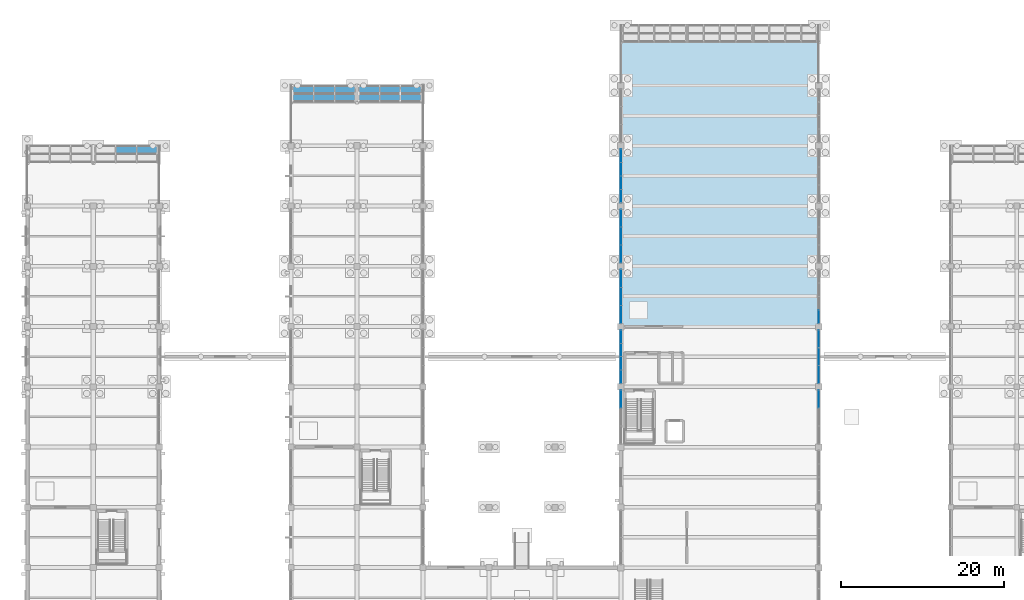
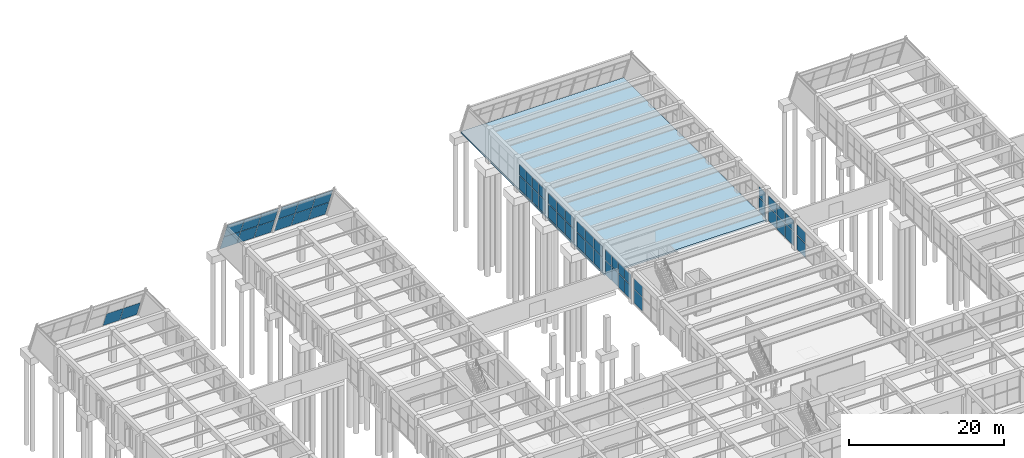
# One storey, part 116 of 140: 54 plates, 1 slab, 11 elements without a shape of their own.
"""IFC4 building model written with IfcOpenShell, lengths in metres."""

from ifc_helpers import new_model, si_unit, direction, frame, origin, origin_2d, place, context, subcontext, project, spatial, polyline, rectangle, outline, extrude, material, layer, layer_set, type_object, element, aggregate, save


model = new_model("IFC4")

# Units and contexts
model_context = context("Model", 3, precision=1e-05, world=origin(), true_north=direction((0.0, 1.0)))
body_context = subcontext(model_context, "Body", "Model", "MODEL_VIEW")
ifc_project = project(units=[si_unit("LENGTHUNIT", "METRE"), si_unit("AREAUNIT", "SQUARE_METRE"), si_unit("VOLUMEUNIT", "CUBIC_METRE"), si_unit("PLANEANGLEUNIT", "RADIAN"), si_unit("MASSUNIT", "GRAM", prefix="KILO")], contexts=[model_context])

# Site, building, storey
site_placement = place(None, origin())
site = spatial("IfcSite", under=ifc_project, at=site_placement, CompositionType="ELEMENT")
building_placement = place(site_placement, origin())
building = spatial("IfcBuilding", under=site, at=building_placement, Name="Cimatlan Art Gallery", CompositionType="ELEMENT")
storey_placement = place(building_placement, origin())
storey = spatial("IfcBuildingStorey", under=building, at=storey_placement, Name="L00", CompositionType="ELEMENT", Elevation=0.0)

# Curtain wall, plates
ifc_material_1 = material(Name="Anodised bronze unitised curtain wall")
curtain_wall_type_1 = type_object("IfcCurtainWallType", Name="CW-V-06592X04148-B4", PredefinedType="NOTDEFINED", material=ifc_material_1)
curtain_wall_1_placement = place(storey_placement, origin())
curtain_wall_1 = element("IfcCurtainWall", 1, at=curtain_wall_1_placement, inside=storey, type_object=curtain_wall_type_1, Name="CW-L00-09-12-W", PredefinedType="NOTDEFINED")
ifc_material_2 = material(Name="Low-E insulated double glazing", Category="glass")
ifc_layer_1 = layer(ifc_material_2, 0.028076171875)
ifc_layer_set_1 = layer_set([ifc_layer_1], Name="Low-E insulated double glazing")
plate_type_1 = type_object("IfcPlateType", Name="PNL-1590X1641", PredefinedType="CURTAIN_PANEL", material=ifc_layer_set_1)
plate_1_placement = place(storey_placement, frame((74.89990234375, 91.72802734375, 2.385009765625), z_axis=(0.0, 0.0, 1.0), x_axis=(0.0, 1.0, 0.0)))
plate_1 = element("IfcPlate", 2, at=plate_1_placement, type_object=plate_type_1, Name="CW-L00-09-12-W-P12", PredefinedType="CURTAIN_PANEL", context=body_context, shape_type="SweptSolid", body=[
    extrude(rectangle(XDim=1.590087890625, YDim=0.028076171875, at=origin_2d()), origin(), (0.0, 0.0, 1.0), 1.64111328125),
])
plate_2_placement = place(storey_placement, frame((74.89990234375, 93.3759765625, 2.385009765625), z_axis=(0.0, 0.0, 1.0), x_axis=(0.0, 1.0, 0.0)))
plate_2 = element("IfcPlate", 3, at=plate_2_placement, type_object=plate_type_1, Name="CW-L00-09-12-W-P22", PredefinedType="CURTAIN_PANEL", context=body_context, shape_type="SweptSolid", body=[
    extrude(rectangle(XDim=1.590087890625, YDim=0.028076171875, at=origin_2d()), origin(), (0.0, 0.0, 1.0), 1.64111328125),
])
plate_3_placement = place(storey_placement, frame((74.89990234375, 95.02392578125, 2.385009765625), z_axis=(0.0, 0.0, 1.0), x_axis=(0.0, 1.0, 0.0)))
plate_3 = element("IfcPlate", 4, at=plate_3_placement, type_object=plate_type_1, Name="CW-L00-09-12-W-P32", PredefinedType="CURTAIN_PANEL", context=body_context, shape_type="SweptSolid", body=[
    extrude(rectangle(XDim=1.590087890625, YDim=0.028076171875, at=origin_2d()), origin(), (0.0, 0.0, 1.0), 1.64111328125),
])
plate_4_placement = place(storey_placement, frame((74.89990234375, 96.672119140625, 2.385009765625), z_axis=(0.0, 0.0, 1.0), x_axis=(0.0, 1.0, 0.0)))
plate_4 = element("IfcPlate", 5, at=plate_4_placement, type_object=plate_type_1, Name="CW-L00-09-12-W-P42", PredefinedType="CURTAIN_PANEL", context=body_context, shape_type="SweptSolid", body=[
    extrude(rectangle(XDim=1.590087890625, YDim=0.028076171875, at=origin_2d()), origin(), (0.0, 0.0, 1.0), 1.64111328125),
])

# Curtain wall, plate
curtain_wall_type_2 = type_object("IfcCurtainWallType", Name="CW-V-06592X04178-B4", PredefinedType="NOTDEFINED", material=ifc_material_1)
curtain_wall_2_placement = place(storey_placement, origin())
curtain_wall_2 = element("IfcCurtainWall", 6, at=curtain_wall_2_placement, inside=storey, type_object=curtain_wall_type_2, Name="CW-L00-11-10-E", PredefinedType="NOTDEFINED")
ifc_layer_2 = layer(ifc_material_2, 0.028076171875)
ifc_layer_set_2 = layer_set([ifc_layer_2], Name="Low-E insulated double glazing")
plate_type_2 = type_object("IfcPlateType", Name="PNL-1590X1654", PredefinedType="CURTAIN_PANEL", material=ifc_layer_set_2)
plate_5_placement = place(storey_placement, frame((99.199951171875, 76.927978515625, 2.40185546875), z_axis=(0.0, 0.0, 1.0), x_axis=(0.0, -1.0, 0.0)))
plate_5 = element("IfcPlate", 7, at=plate_5_placement, type_object=plate_type_2, Name="CW-L00-11-10-E-P42", PredefinedType="CURTAIN_PANEL", context=body_context, shape_type="SweptSolid", body=[
    extrude(rectangle(XDim=1.590087890625, YDim=0.028076171875, at=origin_2d()), origin(), (0.0, 0.0, 1.0), 1.654052734375),
])

# Curtain wall, plates
curtain_wall_type_3 = type_object("IfcCurtainWallType", Name="CW-V-06592X04193-B4", PredefinedType="NOTDEFINED", material=ifc_material_1)
curtain_wall_3_placement = place(storey_placement, origin())
curtain_wall_3 = element("IfcCurtainWall", 8, at=curtain_wall_3_placement, inside=storey, type_object=curtain_wall_type_3, Name="CW-L00-09-09-W", PredefinedType="NOTDEFINED")
ifc_layer_3 = layer(ifc_material_2, 0.028076171875)
ifc_layer_set_3 = layer_set([ifc_layer_3], Name="Low-E insulated double glazing")
plate_type_3 = type_object("IfcPlateType", Name="PNL-1590X1661", PredefinedType="CURTAIN_PANEL", material=ifc_layer_set_3)
plate_6_placement = place(storey_placement, frame((74.89990234375, 69.528076171875, 2.41015625), z_axis=(0.0, 0.0, 1.0), x_axis=(0.0, 1.0, 0.0)))
plate_6 = element("IfcPlate", 9, at=plate_6_placement, type_object=plate_type_3, Name="CW-L00-09-09-W-P12", PredefinedType="CURTAIN_PANEL", context=body_context, shape_type="SweptSolid", body=[
    extrude(rectangle(XDim=1.590087890625, YDim=0.028076171875, at=origin_2d()), origin(), (0.0, 0.0, 1.0), 1.660888671875),
])
plate_7_placement = place(storey_placement, frame((74.89990234375, 71.176025390625, 2.41015625), z_axis=(0.0, 0.0, 1.0), x_axis=(0.0, 1.0, 0.0)))
plate_7 = element("IfcPlate", 10, at=plate_7_placement, type_object=plate_type_3, Name="CW-L00-09-09-W-P22", PredefinedType="CURTAIN_PANEL", context=body_context, shape_type="SweptSolid", body=[
    extrude(rectangle(XDim=1.590087890625, YDim=0.028076171875, at=origin_2d()), origin(), (0.0, 0.0, 1.0), 1.660888671875),
])
plate_8_placement = place(storey_placement, frame((74.89990234375, 72.823974609375, 2.41015625), z_axis=(0.0, 0.0, 1.0), x_axis=(0.0, 1.0, 0.0)))
plate_8 = element("IfcPlate", 11, at=plate_8_placement, type_object=plate_type_3, Name="CW-L00-09-09-W-P32", PredefinedType="CURTAIN_PANEL", context=body_context, shape_type="SweptSolid", body=[
    extrude(rectangle(XDim=1.590087890625, YDim=0.028076171875, at=origin_2d()), origin(), (0.0, 0.0, 1.0), 1.660888671875),
])
plate_9_placement = place(storey_placement, frame((74.89990234375, 74.471923828125, 2.41015625), z_axis=(0.0, 0.0, 1.0), x_axis=(0.0, 1.0, 0.0)))
plate_9 = element("IfcPlate", 12, at=plate_9_placement, type_object=plate_type_3, Name="CW-L00-09-09-W-P42", PredefinedType="CURTAIN_PANEL", context=body_context, shape_type="SweptSolid", body=[
    extrude(rectangle(XDim=1.590087890625, YDim=0.028076171875, at=origin_2d()), origin(), (0.0, 0.0, 1.0), 1.660888671875),
])

# Plate
ifc_layer_4 = layer(ifc_material_2, 0.028076171875)
ifc_layer_set_4 = layer_set([ifc_layer_4], Name="Low-E insulated double glazing")
plate_type_4 = type_object("IfcPlateType", Name="PNL-1590X2139", PredefinedType="CURTAIN_PANEL", material=ifc_layer_set_4)
plate_10_placement = place(storey_placement, frame((74.89990234375, 91.72802734375, 0.1220703125), z_axis=(0.0, 0.0, 1.0), x_axis=(0.0, 1.0, 0.0)))
plate_10 = element("IfcPlate", 13, at=plate_10_placement, type_object=plate_type_4, Name="CW-L00-09-12-W-P11", PredefinedType="CURTAIN_PANEL", context=body_context, shape_type="SweptSolid", body=[
    extrude(rectangle(XDim=1.590087890625, YDim=0.028076171875, at=origin_2d()), origin(), (0.0, 0.0, 1.0), 2.138916015625),
])

plate_11_placement = place(storey_placement, frame((74.89990234375, 93.3759765625, 0.1220703125), z_axis=(0.0, 0.0, 1.0), x_axis=(0.0, 1.0, 0.0)))
plate_11 = element("IfcPlate", 14, at=plate_11_placement, type_object=plate_type_4, Name="CW-L00-09-12-W-P21", PredefinedType="CURTAIN_PANEL", context=body_context, shape_type="SweptSolid", body=[
    extrude(rectangle(XDim=1.590087890625, YDim=0.028076171875, at=origin_2d()), origin(), (0.0, 0.0, 1.0), 2.138916015625),
])

plate_12_placement = place(storey_placement, frame((74.89990234375, 95.02392578125, 0.1220703125), z_axis=(0.0, 0.0, 1.0), x_axis=(0.0, 1.0, 0.0)))
plate_12 = element("IfcPlate", 15, at=plate_12_placement, type_object=plate_type_4, Name="CW-L00-09-12-W-P31", PredefinedType="CURTAIN_PANEL", context=body_context, shape_type="SweptSolid", body=[
    extrude(rectangle(XDim=1.590087890625, YDim=0.028076171875, at=origin_2d()), origin(), (0.0, 0.0, 1.0), 2.138916015625),
])

plate_13_placement = place(storey_placement, frame((74.89990234375, 96.672119140625, 0.1220703125), z_axis=(0.0, 0.0, 1.0), x_axis=(0.0, 1.0, 0.0)))
plate_13 = element("IfcPlate", 16, at=plate_13_placement, type_object=plate_type_4, Name="CW-L00-09-12-W-P41", PredefinedType="CURTAIN_PANEL", context=body_context, shape_type="SweptSolid", body=[
    extrude(rectangle(XDim=1.590087890625, YDim=0.028076171875, at=origin_2d()), origin(), (0.0, 0.0, 1.0), 2.138916015625),
])

aggregate(curtain_wall_1, [plate_10, plate_1, plate_11, plate_2, plate_12, plate_3, plate_13, plate_4])

ifc_layer_5 = layer(ifc_material_2, 0.028076171875)
ifc_layer_set_5 = layer_set([ifc_layer_5], Name="Low-E insulated double glazing")
plate_type_5 = type_object("IfcPlateType", Name="PNL-1590X2156", PredefinedType="CURTAIN_PANEL", material=ifc_layer_set_5)
plate_14_placement = place(storey_placement, frame((99.199951171875, 76.927978515625, 0.1220703125), z_axis=(0.0, 0.0, 1.0), x_axis=(0.0, -1.0, 0.0)))
plate_14 = element("IfcPlate", 17, at=plate_14_placement, type_object=plate_type_5, Name="CW-L00-11-10-E-P41", PredefinedType="CURTAIN_PANEL", context=body_context, shape_type="SweptSolid", body=[
    extrude(rectangle(XDim=1.590087890625, YDim=0.028076171875, at=origin_2d()), origin(), (0.0, 0.0, 1.0), 2.156005859375),
])

aggregate(curtain_wall_2, [plate_14, plate_5])

ifc_layer_6 = layer(ifc_material_2, 0.028076171875)
ifc_layer_set_6 = layer_set([ifc_layer_6], Name="Low-E insulated double glazing")
plate_type_6 = type_object("IfcPlateType", Name="PNL-1590X2164", PredefinedType="CURTAIN_PANEL", material=ifc_layer_set_6)
plate_15_placement = place(storey_placement, frame((74.89990234375, 69.528076171875, 0.1220703125), z_axis=(0.0, 0.0, 1.0), x_axis=(0.0, 1.0, 0.0)))
plate_15 = element("IfcPlate", 18, at=plate_15_placement, type_object=plate_type_6, Name="CW-L00-09-09-W-P11", PredefinedType="CURTAIN_PANEL", context=body_context, shape_type="SweptSolid", body=[
    extrude(rectangle(XDim=1.590087890625, YDim=0.028076171875, at=origin_2d()), origin(), (0.0, 0.0, 1.0), 2.1640625),
])

plate_16_placement = place(storey_placement, frame((74.89990234375, 71.176025390625, 0.1220703125), z_axis=(0.0, 0.0, 1.0), x_axis=(0.0, 1.0, 0.0)))
plate_16 = element("IfcPlate", 19, at=plate_16_placement, type_object=plate_type_6, Name="CW-L00-09-09-W-P21", PredefinedType="CURTAIN_PANEL", context=body_context, shape_type="SweptSolid", body=[
    extrude(rectangle(XDim=1.590087890625, YDim=0.028076171875, at=origin_2d()), origin(), (0.0, 0.0, 1.0), 2.1640625),
])

plate_17_placement = place(storey_placement, frame((74.89990234375, 72.823974609375, 0.1220703125), z_axis=(0.0, 0.0, 1.0), x_axis=(0.0, 1.0, 0.0)))
plate_17 = element("IfcPlate", 20, at=plate_17_placement, type_object=plate_type_6, Name="CW-L00-09-09-W-P31", PredefinedType="CURTAIN_PANEL", context=body_context, shape_type="SweptSolid", body=[
    extrude(rectangle(XDim=1.590087890625, YDim=0.028076171875, at=origin_2d()), origin(), (0.0, 0.0, 1.0), 2.1640625),
])

plate_18_placement = place(storey_placement, frame((74.89990234375, 74.471923828125, 0.1220703125), z_axis=(0.0, 0.0, 1.0), x_axis=(0.0, 1.0, 0.0)))
plate_18 = element("IfcPlate", 21, at=plate_18_placement, type_object=plate_type_6, Name="CW-L00-09-09-W-P41", PredefinedType="CURTAIN_PANEL", context=body_context, shape_type="SweptSolid", body=[
    extrude(rectangle(XDim=1.590087890625, YDim=0.028076171875, at=origin_2d()), origin(), (0.0, 0.0, 1.0), 2.1640625),
])

aggregate(curtain_wall_3, [plate_15, plate_6, plate_16, plate_7, plate_17, plate_8, plate_18, plate_9])

# Curtain wall, plate
curtain_wall_type_4 = type_object("IfcCurtainWallType", Name="CW-V-06592X04118-B3", PredefinedType="NOTDEFINED", material=ifc_material_1)
curtain_wall_4_placement = place(storey_placement, origin())
curtain_wall_4 = element("IfcCurtainWall", 22, at=curtain_wall_4_placement, inside=storey, type_object=curtain_wall_type_4, Name="CW-L00-09-08-W", PredefinedType="NOTDEFINED")
ifc_layer_7 = layer(ifc_material_2, 0.028076171875)
ifc_layer_set_7 = layer_set([ifc_layer_7], Name="Low-E insulated double glazing")
plate_type_7 = type_object("IfcPlateType", Name="PNL-2139X1628", PredefinedType="CURTAIN_PANEL", material=ifc_layer_set_7)
plate_19_placement = place(storey_placement, frame((74.89990234375, 66.79736328125, 2.3681640625), z_axis=(0.0, 0.0, 1.0), x_axis=(0.0, 1.0, 0.0)))
plate_19 = element("IfcPlate", 23, at=plate_19_placement, type_object=plate_type_7, Name="CW-L00-09-08-W-P32", PredefinedType="CURTAIN_PANEL", context=body_context, shape_type="SweptSolid", body=[
    extrude(rectangle(XDim=2.138916015625, YDim=0.028076171875, at=origin_2d()), origin(), (0.0, 0.0, 1.0), 1.6279296875),
])

curtain_wall_5_placement = place(storey_placement, origin())
curtain_wall_5 = element("IfcCurtainWall", 24, at=curtain_wall_5_placement, inside=storey, type_object=curtain_wall_type_4, Name="CW-L00-11-08-E", PredefinedType="NOTDEFINED")
plate_20_placement = place(storey_placement, frame((99.199951171875, 66.79736328125, 2.3681640625), z_axis=(0.0, 0.0, 1.0), x_axis=(0.0, -1.0, 0.0)))
plate_20 = element("IfcPlate", 25, at=plate_20_placement, type_object=plate_type_7, Name="CW-L00-11-08-E-P12", PredefinedType="CURTAIN_PANEL", context=body_context, shape_type="SweptSolid", body=[
    extrude(rectangle(XDim=2.138916015625, YDim=0.028076171875, at=origin_2d()), origin(), (0.0, 0.0, 1.0), 1.6279296875),
])

# Curtain wall, plates
curtain_wall_type_5 = type_object("IfcCurtainWallType", Name="CW-V-06592X04163-B3", PredefinedType="NOTDEFINED", material=ifc_material_1)
curtain_wall_6_placement = place(storey_placement, origin())
curtain_wall_6 = element("IfcCurtainWall", 26, at=curtain_wall_6_placement, inside=storey, type_object=curtain_wall_type_5, Name="CW-L00-09-11-W", PredefinedType="NOTDEFINED")
ifc_layer_8 = layer(ifc_material_2, 0.028076171875)
ifc_layer_set_8 = layer_set([ifc_layer_8], Name="Low-E insulated double glazing")
plate_type_8 = type_object("IfcPlateType", Name="PNL-2139X1648", PredefinedType="CURTAIN_PANEL", material=ifc_layer_set_8)
plate_21_placement = place(storey_placement, frame((74.89990234375, 84.602783203125, 2.39306640625), z_axis=(0.0, 0.0, 1.0), x_axis=(0.0, 1.0, 0.0)))
plate_21 = element("IfcPlate", 27, at=plate_21_placement, type_object=plate_type_8, Name="CW-L00-09-11-W-P12", PredefinedType="CURTAIN_PANEL", context=body_context, shape_type="SweptSolid", body=[
    extrude(rectangle(XDim=2.138916015625, YDim=0.028076171875, at=origin_2d()), origin(), (0.0, 0.0, 1.0), 1.64794921875),
])
plate_22_placement = place(storey_placement, frame((74.89990234375, 86.800048828125, 2.39306640625), z_axis=(0.0, 0.0, 1.0), x_axis=(0.0, 1.0, 0.0)))
plate_22 = element("IfcPlate", 28, at=plate_22_placement, type_object=plate_type_8, Name="CW-L00-09-11-W-P22", PredefinedType="CURTAIN_PANEL", context=body_context, shape_type="SweptSolid", body=[
    extrude(rectangle(XDim=2.138916015625, YDim=0.028076171875, at=origin_2d()), origin(), (0.0, 0.0, 1.0), 1.64794921875),
])
plate_23_placement = place(storey_placement, frame((74.89990234375, 88.997314453125, 2.39306640625), z_axis=(0.0, 0.0, 1.0), x_axis=(0.0, 1.0, 0.0)))
plate_23 = element("IfcPlate", 29, at=plate_23_placement, type_object=plate_type_8, Name="CW-L00-09-11-W-P32", PredefinedType="CURTAIN_PANEL", context=body_context, shape_type="SweptSolid", body=[
    extrude(rectangle(XDim=2.138916015625, YDim=0.028076171875, at=origin_2d()), origin(), (0.0, 0.0, 1.0), 1.64794921875),
])

curtain_wall_type_6 = type_object("IfcCurtainWallType", Name="CW-V-06592X04178-B3", PredefinedType="NOTDEFINED", material=ifc_material_1)
curtain_wall_7_placement = place(storey_placement, origin())
curtain_wall_7 = element("IfcCurtainWall", 30, at=curtain_wall_7_placement, inside=storey, type_object=curtain_wall_type_6, Name="CW-L00-09-10-W", PredefinedType="NOTDEFINED")
ifc_layer_9 = layer(ifc_material_2, 0.028076171875)
ifc_layer_set_9 = layer_set([ifc_layer_9], Name="Low-E insulated double glazing")
plate_type_9 = type_object("IfcPlateType", Name="PNL-2139X1654", PredefinedType="CURTAIN_PANEL", material=ifc_layer_set_9)
plate_24_placement = place(storey_placement, frame((74.89990234375, 77.20263671875, 2.40185546875), z_axis=(0.0, 0.0, 1.0), x_axis=(0.0, 1.0, 0.0)))
plate_24 = element("IfcPlate", 31, at=plate_24_placement, type_object=plate_type_9, Name="CW-L00-09-10-W-P12", PredefinedType="CURTAIN_PANEL", context=body_context, shape_type="SweptSolid", body=[
    extrude(rectangle(XDim=2.138916015625, YDim=0.028076171875, at=origin_2d()), origin(), (0.0, 0.0, 1.0), 1.654052734375),
])
plate_25_placement = place(storey_placement, frame((74.89990234375, 79.39990234375, 2.40185546875), z_axis=(0.0, 0.0, 1.0), x_axis=(0.0, 1.0, 0.0)))
plate_25 = element("IfcPlate", 32, at=plate_25_placement, type_object=plate_type_9, Name="CW-L00-09-10-W-P22", PredefinedType="CURTAIN_PANEL", context=body_context, shape_type="SweptSolid", body=[
    extrude(rectangle(XDim=2.138916015625, YDim=0.028076171875, at=origin_2d()), origin(), (0.0, 0.0, 1.0), 1.654052734375),
])
plate_26_placement = place(storey_placement, frame((74.89990234375, 81.597412109375, 2.40185546875), z_axis=(0.0, 0.0, 1.0), x_axis=(0.0, 1.0, 0.0)))
plate_26 = element("IfcPlate", 33, at=plate_26_placement, type_object=plate_type_9, Name="CW-L00-09-10-W-P32", PredefinedType="CURTAIN_PANEL", context=body_context, shape_type="SweptSolid", body=[
    extrude(rectangle(XDim=2.138916015625, YDim=0.028076171875, at=origin_2d()), origin(), (0.0, 0.0, 1.0), 1.654052734375),
])

curtain_wall_type_7 = type_object("IfcCurtainWallType", Name="CW-V-06592X04193-B3", PredefinedType="NOTDEFINED", material=ifc_material_1)
curtain_wall_8_placement = place(storey_placement, origin())
curtain_wall_8 = element("IfcCurtainWall", 34, at=curtain_wall_8_placement, inside=storey, type_object=curtain_wall_type_7, Name="CW-L00-11-09-E", PredefinedType="NOTDEFINED")
ifc_layer_10 = layer(ifc_material_2, 0.028076171875)
ifc_layer_set_10 = layer_set([ifc_layer_10], Name="Low-E insulated double glazing")
plate_type_10 = type_object("IfcPlateType", Name="PNL-2139X1661", PredefinedType="CURTAIN_PANEL", material=ifc_layer_set_10)
plate_27_placement = place(storey_placement, frame((99.199951171875, 74.197265625, 2.41015625), z_axis=(0.0, 0.0, 1.0), x_axis=(0.0, -1.0, 0.0)))
plate_27 = element("IfcPlate", 35, at=plate_27_placement, type_object=plate_type_10, Name="CW-L00-11-09-E-P12", PredefinedType="CURTAIN_PANEL", context=body_context, shape_type="SweptSolid", body=[
    extrude(rectangle(XDim=2.138916015625, YDim=0.028076171875, at=origin_2d()), origin(), (0.0, 0.0, 1.0), 1.660888671875),
])
plate_28_placement = place(storey_placement, frame((99.199951171875, 72.0, 2.41015625), z_axis=(0.0, 0.0, 1.0), x_axis=(0.0, -1.0, 0.0)))
plate_28 = element("IfcPlate", 36, at=plate_28_placement, type_object=plate_type_10, Name="CW-L00-11-09-E-P22", PredefinedType="CURTAIN_PANEL", context=body_context, shape_type="SweptSolid", body=[
    extrude(rectangle(XDim=2.138916015625, YDim=0.028076171875, at=origin_2d()), origin(), (0.0, 0.0, 1.0), 1.660888671875),
])
plate_29_placement = place(storey_placement, frame((99.199951171875, 69.802734375, 2.41015625), z_axis=(0.0, 0.0, 1.0), x_axis=(0.0, -1.0, 0.0)))
plate_29 = element("IfcPlate", 37, at=plate_29_placement, type_object=plate_type_10, Name="CW-L00-11-09-E-P32", PredefinedType="CURTAIN_PANEL", context=body_context, shape_type="SweptSolid", body=[
    extrude(rectangle(XDim=2.138916015625, YDim=0.028076171875, at=origin_2d()), origin(), (0.0, 0.0, 1.0), 1.660888671875),
])

# Plate
ifc_layer_11 = layer(ifc_material_2, 0.028076171875)
ifc_layer_set_11 = layer_set([ifc_layer_11], Name="Low-E insulated double glazing")
plate_type_11 = type_object("IfcPlateType", Name="PNL-2139X2122", PredefinedType="CURTAIN_PANEL", material=ifc_layer_set_11)
plate_30_placement = place(storey_placement, frame((74.89990234375, 66.79736328125, 0.1220703125), z_axis=(0.0, 0.0, 1.0), x_axis=(0.0, 1.0, 0.0)))
plate_30 = element("IfcPlate", 38, at=plate_30_placement, type_object=plate_type_11, Name="CW-L00-09-08-W-P31", PredefinedType="CURTAIN_PANEL", context=body_context, shape_type="SweptSolid", body=[
    extrude(rectangle(XDim=2.138916015625, YDim=0.028076171875, at=origin_2d()), origin(), (0.0, 0.0, 1.0), 2.1220703125),
])

aggregate(curtain_wall_4, [plate_30, plate_19])

plate_31_placement = place(storey_placement, frame((99.199951171875, 66.79736328125, 0.1220703125), z_axis=(0.0, 0.0, 1.0), x_axis=(0.0, -1.0, 0.0)))
plate_31 = element("IfcPlate", 39, at=plate_31_placement, type_object=plate_type_11, Name="CW-L00-11-08-E-P11", PredefinedType="CURTAIN_PANEL", context=body_context, shape_type="SweptSolid", body=[
    extrude(rectangle(XDim=2.138916015625, YDim=0.028076171875, at=origin_2d()), origin(), (0.0, 0.0, 1.0), 2.1220703125),
])

aggregate(curtain_wall_5, [plate_31, plate_20])

ifc_layer_12 = layer(ifc_material_2, 0.028076171875)
ifc_layer_set_12 = layer_set([ifc_layer_12], Name="Low-E insulated double glazing")
plate_type_12 = type_object("IfcPlateType", Name="PNL-2139X2147", PredefinedType="CURTAIN_PANEL", material=ifc_layer_set_12)
plate_32_placement = place(storey_placement, frame((74.89990234375, 84.602783203125, 0.1220703125), z_axis=(0.0, 0.0, 1.0), x_axis=(0.0, 1.0, 0.0)))
plate_32 = element("IfcPlate", 40, at=plate_32_placement, type_object=plate_type_12, Name="CW-L00-09-11-W-P11", PredefinedType="CURTAIN_PANEL", context=body_context, shape_type="SweptSolid", body=[
    extrude(rectangle(XDim=2.138916015625, YDim=0.028076171875, at=origin_2d()), origin(), (0.0, 0.0, 1.0), 2.14697265625),
])

plate_33_placement = place(storey_placement, frame((74.89990234375, 86.800048828125, 0.1220703125), z_axis=(0.0, 0.0, 1.0), x_axis=(0.0, 1.0, 0.0)))
plate_33 = element("IfcPlate", 41, at=plate_33_placement, type_object=plate_type_12, Name="CW-L00-09-11-W-P21", PredefinedType="CURTAIN_PANEL", context=body_context, shape_type="SweptSolid", body=[
    extrude(rectangle(XDim=2.138916015625, YDim=0.028076171875, at=origin_2d()), origin(), (0.0, 0.0, 1.0), 2.14697265625),
])

plate_34_placement = place(storey_placement, frame((74.89990234375, 88.997314453125, 0.1220703125), z_axis=(0.0, 0.0, 1.0), x_axis=(0.0, 1.0, 0.0)))
plate_34 = element("IfcPlate", 42, at=plate_34_placement, type_object=plate_type_12, Name="CW-L00-09-11-W-P31", PredefinedType="CURTAIN_PANEL", context=body_context, shape_type="SweptSolid", body=[
    extrude(rectangle(XDim=2.138916015625, YDim=0.028076171875, at=origin_2d()), origin(), (0.0, 0.0, 1.0), 2.14697265625),
])

aggregate(curtain_wall_6, [plate_32, plate_21, plate_33, plate_22, plate_34, plate_23])

ifc_layer_13 = layer(ifc_material_2, 0.028076171875)
ifc_layer_set_13 = layer_set([ifc_layer_13], Name="Low-E insulated double glazing")
plate_type_13 = type_object("IfcPlateType", Name="PNL-2139X2156", PredefinedType="CURTAIN_PANEL", material=ifc_layer_set_13)
plate_35_placement = place(storey_placement, frame((74.89990234375, 77.20263671875, 0.1220703125), z_axis=(0.0, 0.0, 1.0), x_axis=(0.0, 1.0, 0.0)))
plate_35 = element("IfcPlate", 43, at=plate_35_placement, type_object=plate_type_13, Name="CW-L00-09-10-W-P11", PredefinedType="CURTAIN_PANEL", context=body_context, shape_type="SweptSolid", body=[
    extrude(rectangle(XDim=2.138916015625, YDim=0.028076171875, at=origin_2d()), origin(), (0.0, 0.0, 1.0), 2.156005859375),
])

plate_36_placement = place(storey_placement, frame((74.89990234375, 79.39990234375, 0.1220703125), z_axis=(0.0, 0.0, 1.0), x_axis=(0.0, 1.0, 0.0)))
plate_36 = element("IfcPlate", 44, at=plate_36_placement, type_object=plate_type_13, Name="CW-L00-09-10-W-P21", PredefinedType="CURTAIN_PANEL", context=body_context, shape_type="SweptSolid", body=[
    extrude(rectangle(XDim=2.138916015625, YDim=0.028076171875, at=origin_2d()), origin(), (0.0, 0.0, 1.0), 2.156005859375),
])

plate_37_placement = place(storey_placement, frame((74.89990234375, 81.597412109375, 0.1220703125), z_axis=(0.0, 0.0, 1.0), x_axis=(0.0, 1.0, 0.0)))
plate_37 = element("IfcPlate", 45, at=plate_37_placement, type_object=plate_type_13, Name="CW-L00-09-10-W-P31", PredefinedType="CURTAIN_PANEL", context=body_context, shape_type="SweptSolid", body=[
    extrude(rectangle(XDim=2.138916015625, YDim=0.028076171875, at=origin_2d()), origin(), (0.0, 0.0, 1.0), 2.156005859375),
])

aggregate(curtain_wall_7, [plate_35, plate_24, plate_36, plate_25, plate_37, plate_26])

ifc_layer_14 = layer(ifc_material_2, 0.028076171875)
ifc_layer_set_14 = layer_set([ifc_layer_14], Name="Low-E insulated double glazing")
plate_type_14 = type_object("IfcPlateType", Name="PNL-2139X2164", PredefinedType="CURTAIN_PANEL", material=ifc_layer_set_14)
plate_38_placement = place(storey_placement, frame((99.199951171875, 74.197265625, 0.1220703125), z_axis=(0.0, 0.0, 1.0), x_axis=(0.0, -1.0, 0.0)))
plate_38 = element("IfcPlate", 46, at=plate_38_placement, type_object=plate_type_14, Name="CW-L00-11-09-E-P11", PredefinedType="CURTAIN_PANEL", context=body_context, shape_type="SweptSolid", body=[
    extrude(rectangle(XDim=2.138916015625, YDim=0.028076171875, at=origin_2d()), origin(), (0.0, 0.0, 1.0), 2.1640625),
])

plate_39_placement = place(storey_placement, frame((99.199951171875, 72.0, 0.1220703125), z_axis=(0.0, 0.0, 1.0), x_axis=(0.0, -1.0, 0.0)))
plate_39 = element("IfcPlate", 47, at=plate_39_placement, type_object=plate_type_14, Name="CW-L00-11-09-E-P21", PredefinedType="CURTAIN_PANEL", context=body_context, shape_type="SweptSolid", body=[
    extrude(rectangle(XDim=2.138916015625, YDim=0.028076171875, at=origin_2d()), origin(), (0.0, 0.0, 1.0), 2.1640625),
])

plate_40_placement = place(storey_placement, frame((99.199951171875, 69.802734375, 0.1220703125), z_axis=(0.0, 0.0, 1.0), x_axis=(0.0, -1.0, 0.0)))
plate_40 = element("IfcPlate", 48, at=plate_40_placement, type_object=plate_type_14, Name="CW-L00-11-09-E-P31", PredefinedType="CURTAIN_PANEL", context=body_context, shape_type="SweptSolid", body=[
    extrude(rectangle(XDim=2.138916015625, YDim=0.028076171875, at=origin_2d()), origin(), (0.0, 0.0, 1.0), 2.1640625),
])

aggregate(curtain_wall_8, [plate_38, plate_27, plate_39, plate_28, plate_40, plate_29])

# Curtain wall, plates
ifc_material_3 = material(Name="Raked steel-and-bronze lancet curtain wall", Category="steel")
curtain_wall_type_8 = type_object("IfcCurtainWallType", Name="CW-RAK-07660X05503-B3", PredefinedType="NOTDEFINED", material=ifc_material_3)
curtain_wall_9_placement = place(storey_placement, origin())
curtain_wall_9 = element("IfcCurtainWall", 49, at=curtain_wall_9_placement, inside=storey, type_object=curtain_wall_type_8, Name="CW-PROW-L00-B1-1", PredefinedType="NOTDEFINED")
ifc_material_4 = material(Name="Low-E laminated skylight safety glazing", Category="glass")
ifc_layer_15 = layer(ifc_material_4, 0.031982421875)
ifc_layer_set_15 = layer_set([ifc_layer_15], Name="Low-E laminated skylight safety glazing")
plate_type_15 = type_object("IfcPlateType", Name="PNL-RAK-2513X2641", PredefinedType="CURTAIN_PANEL", material=ifc_layer_set_15)
plate_41_placement = place(storey_placement, frame((12.8935546875, 97.86962890625, 0.076904296875), z_axis=(0.0, 0.930420809623, 0.366492997234), x_axis=(1.0, 0.0, 0.0)))
plate_41 = element("IfcPlate", 50, at=plate_41_placement, type_object=plate_type_15, Name="CW-PROW-L00-B1-1-P21", PredefinedType="CURTAIN_PANEL", context=body_context, shape_type="SweptSolid", body=[
    extrude(outline(polyline([(0.0, 0.0), (2.512939453125, 0.0), (2.512939453125, -2.641298975510764), (0.0, -2.641298975510764), (0.0, 0.0)])), origin(), (0.0, 0.0, -1.0), 0.031982421875),
])
plate_42_placement = place(storey_placement, frame((15.44677734375, 97.86962890625, 0.076904296875), z_axis=(0.0, 0.930420809623, 0.366492997234), x_axis=(1.0, 0.0, 0.0)))
plate_42 = element("IfcPlate", 51, at=plate_42_placement, type_object=plate_type_15, Name="CW-PROW-L00-B1-1-P31", PredefinedType="CURTAIN_PANEL", context=body_context, shape_type="SweptSolid", body=[
    extrude(outline(polyline([(0.0, 0.0), (2.512939453125, 0.0), (2.512939453125, -2.641298975510764), (0.0, -2.641298975510764), (0.0, 0.0)])), origin(), (0.0, 0.0, -1.0), 0.031982421875),
])
aggregate(curtain_wall_9, [plate_41, plate_42])

curtain_wall_10_placement = place(storey_placement, origin())
curtain_wall_10 = element("IfcCurtainWall", 52, at=curtain_wall_10_placement, inside=storey, type_object=curtain_wall_type_8, Name="CW-PROW-L00-B2-4", PredefinedType="NOTDEFINED")
plate_43_placement = place(storey_placement, frame((34.64013671875, 105.269775390625, 0.076904296875), z_axis=(0.0, 0.930420809623, 0.366492997234), x_axis=(1.0, 0.0, 0.0)))
plate_43 = element("IfcPlate", 53, at=plate_43_placement, type_object=plate_type_15, Name="CW-PROW-L00-B2-4-P11", PredefinedType="CURTAIN_PANEL", context=body_context, shape_type="SweptSolid", body=[
    extrude(outline(polyline([(0.0, 0.0), (2.51318359375, 0.0), (2.51318359375, -2.641298975510764), (0.0, -2.641298975510764), (0.0, 0.0)])), origin(), (0.0, 0.0, -1.0), 0.031982421875),
])
plate_44_placement = place(storey_placement, frame((34.64013671875, 104.281494140625, 2.585693359375), z_axis=(0.0, 0.930420809623, 0.366492997234), x_axis=(1.0, 0.0, 0.0)))
plate_44 = element("IfcPlate", 54, at=plate_44_placement, type_object=plate_type_15, Name="CW-PROW-L00-B2-4-P12", PredefinedType="CURTAIN_PANEL", context=body_context, shape_type="SweptSolid", body=[
    extrude(outline(polyline([(0.0, 0.0), (2.51318359375, 0.0), (2.51318359375, -2.641298975510764), (0.0, -2.641298975510764), (0.0, 0.0)])), origin(), (0.0, 0.0, -1.0), 0.031982421875),
])
plate_45_placement = place(storey_placement, frame((37.193603515625, 105.269775390625, 0.076904296875), z_axis=(0.0, 0.930420809623, 0.366492997234), x_axis=(1.0, 0.0, 0.0)))
plate_45 = element("IfcPlate", 55, at=plate_45_placement, type_object=plate_type_15, Name="CW-PROW-L00-B2-4-P21", PredefinedType="CURTAIN_PANEL", context=body_context, shape_type="SweptSolid", body=[
    extrude(outline(polyline([(0.0, 0.0), (2.512939453125, 0.0), (2.512939453125, -2.641298975510764), (0.0, -2.641298975510764), (0.0, 0.0)])), origin(), (0.0, 0.0, -1.0), 0.031982421875),
])
plate_46_placement = place(storey_placement, frame((37.193603515625, 104.281494140625, 2.585693359375), z_axis=(0.0, 0.930420809623, 0.366492997234), x_axis=(1.0, 0.0, 0.0)))
plate_46 = element("IfcPlate", 56, at=plate_46_placement, type_object=plate_type_15, Name="CW-PROW-L00-B2-4-P22", PredefinedType="CURTAIN_PANEL", context=body_context, shape_type="SweptSolid", body=[
    extrude(outline(polyline([(0.0, 0.0), (2.512939453125, 0.0), (2.512939453125, -2.641298975510764), (0.0, -2.641298975510764), (0.0, 0.0)])), origin(), (0.0, 0.0, -1.0), 0.031982421875),
])
plate_47_placement = place(storey_placement, frame((39.746826171875, 105.269775390625, 0.076904296875), z_axis=(0.0, 0.930420809623, 0.366492997234), x_axis=(1.0, 0.0, 0.0)))
plate_47 = element("IfcPlate", 57, at=plate_47_placement, type_object=plate_type_15, Name="CW-PROW-L00-B2-4-P31", PredefinedType="CURTAIN_PANEL", context=body_context, shape_type="SweptSolid", body=[
    extrude(outline(polyline([(0.0, 0.0), (2.512939453125, 0.0), (2.512939453125, -2.641298975510764), (0.0, -2.641298975510764), (0.0, 0.0)])), origin(), (0.0, 0.0, -1.0), 0.031982421875),
])
plate_48_placement = place(storey_placement, frame((39.746826171875, 104.281494140625, 2.585693359375), z_axis=(0.0, 0.930420809623, 0.366492997234), x_axis=(1.0, 0.0, 0.0)))
plate_48 = element("IfcPlate", 58, at=plate_48_placement, type_object=plate_type_15, Name="CW-PROW-L00-B2-4-P32", PredefinedType="CURTAIN_PANEL", context=body_context, shape_type="SweptSolid", body=[
    extrude(outline(polyline([(0.0, 0.0), (2.512939453125, 0.0), (2.512939453125, -2.641298975510764), (0.0, -2.641298975510764), (0.0, 0.0)])), origin(), (0.0, 0.0, -1.0), 0.031982421875),
])
aggregate(curtain_wall_10, [plate_43, plate_44, plate_45, plate_46, plate_47, plate_48])

curtain_wall_11_placement = place(storey_placement, origin())
curtain_wall_11 = element("IfcCurtainWall", 59, at=curtain_wall_11_placement, inside=storey, type_object=curtain_wall_type_8, Name="CW-PROW-L00-B2-5", PredefinedType="NOTDEFINED")
plate_49_placement = place(storey_placement, frame((42.740234375, 105.269775390625, 0.076904296875), z_axis=(0.0, 0.930420809623, 0.366492997234), x_axis=(1.0, 0.0, 0.0)))
plate_49 = element("IfcPlate", 60, at=plate_49_placement, type_object=plate_type_15, Name="CW-PROW-L00-B2-5-P11", PredefinedType="CURTAIN_PANEL", context=body_context, shape_type="SweptSolid", body=[
    extrude(outline(polyline([(0.0, 0.0), (2.512939453125, 0.0), (2.512939453125, -2.641298975510764), (0.0, -2.641298975510764), (0.0, 0.0)])), origin(), (0.0, 0.0, -1.0), 0.031982421875),
])
plate_50_placement = place(storey_placement, frame((42.740234375, 104.281494140625, 2.585693359375), z_axis=(0.0, 0.930420809623, 0.366492997234), x_axis=(1.0, 0.0, 0.0)))
plate_50 = element("IfcPlate", 61, at=plate_50_placement, type_object=plate_type_15, Name="CW-PROW-L00-B2-5-P12", PredefinedType="CURTAIN_PANEL", context=body_context, shape_type="SweptSolid", body=[
    extrude(outline(polyline([(0.0, 0.0), (2.512939453125, 0.0), (2.512939453125, -2.641298975510764), (0.0, -2.641298975510764), (0.0, 0.0)])), origin(), (0.0, 0.0, -1.0), 0.031982421875),
])
plate_51_placement = place(storey_placement, frame((45.29345703125, 105.269775390625, 0.076904296875), z_axis=(0.0, 0.930420809623, 0.366492997234), x_axis=(1.0, 0.0, 0.0)))
plate_51 = element("IfcPlate", 62, at=plate_51_placement, type_object=plate_type_15, Name="CW-PROW-L00-B2-5-P21", PredefinedType="CURTAIN_PANEL", context=body_context, shape_type="SweptSolid", body=[
    extrude(outline(polyline([(0.0, 0.0), (2.512939453125, 0.0), (2.512939453125, -2.641298975510764), (0.0, -2.641298975510764), (0.0, 0.0)])), origin(), (0.0, 0.0, -1.0), 0.031982421875),
])
plate_52_placement = place(storey_placement, frame((45.29345703125, 104.281494140625, 2.585693359375), z_axis=(0.0, 0.930420809623, 0.366492997234), x_axis=(1.0, 0.0, 0.0)))
plate_52 = element("IfcPlate", 63, at=plate_52_placement, type_object=plate_type_15, Name="CW-PROW-L00-B2-5-P22", PredefinedType="CURTAIN_PANEL", context=body_context, shape_type="SweptSolid", body=[
    extrude(outline(polyline([(0.0, 0.0), (2.512939453125, 0.0), (2.512939453125, -2.641298975510764), (0.0, -2.641298975510764), (0.0, 0.0)])), origin(), (0.0, 0.0, -1.0), 0.031982421875),
])
plate_53_placement = place(storey_placement, frame((47.8466796875, 105.269775390625, 0.076904296875), z_axis=(0.0, 0.930420809623, 0.366492997234), x_axis=(1.0, 0.0, 0.0)))
plate_53 = element("IfcPlate", 64, at=plate_53_placement, type_object=plate_type_15, Name="CW-PROW-L00-B2-5-P31", PredefinedType="CURTAIN_PANEL", context=body_context, shape_type="SweptSolid", body=[
    extrude(outline(polyline([(0.0, 0.0), (2.51318359375, 0.0), (2.51318359375, -2.641298975510764), (0.0, -2.641298975510764), (0.0, 0.0)])), origin(), (0.0, 0.0, -1.0), 0.031982421875),
])
plate_54_placement = place(storey_placement, frame((47.8466796875, 104.281494140625, 2.585693359375), z_axis=(0.0, 0.930420809623, 0.366492997234), x_axis=(1.0, 0.0, 0.0)))
plate_54 = element("IfcPlate", 65, at=plate_54_placement, type_object=plate_type_15, Name="CW-PROW-L00-B2-5-P32", PredefinedType="CURTAIN_PANEL", context=body_context, shape_type="SweptSolid", body=[
    extrude(outline(polyline([(0.0, 0.0), (2.51318359375, 0.0), (2.51318359375, -2.641298975510764), (0.0, -2.641298975510764), (0.0, 0.0)])), origin(), (0.0, 0.0, -1.0), 0.031982421875),
])
aggregate(curtain_wall_11, [plate_49, plate_50, plate_51, plate_52, plate_53, plate_54])

# Slab
ifc_material_5 = material(Name="Concrete C35/45", Category="concrete")
ifc_layer_16 = layer(ifc_material_5, 0.280029296875)
ifc_layer_set_16 = layer_set([ifc_layer_16], Name="Concrete C35/45")
slab_type = type_object("IfcSlabType", Name="SLB-FLR-L00", PredefinedType="FLOOR", material=ifc_layer_set_16)
slab_placement = place(storey_placement, frame((0.0, 0.0, -0.280029296875)))
element("IfcSlab", 66, at=slab_placement, inside=storey, type_object=slab_type, Name="SLB-L00-B3N", PredefinedType="FLOOR", context=body_context, shape_type="SweptSolid", body=[
    extrude(outline(polyline([(74.89990234375, 75.699951171875), (99.199951171875, 75.699951171875), (99.199951171875, 112.699951171875), (74.89990234375, 112.699951171875), (74.89990234375, 75.699951171875)])), origin(), (0.0, 0.0, 1.0), 0.280029296875),
])

save(model, "model.ifc")
